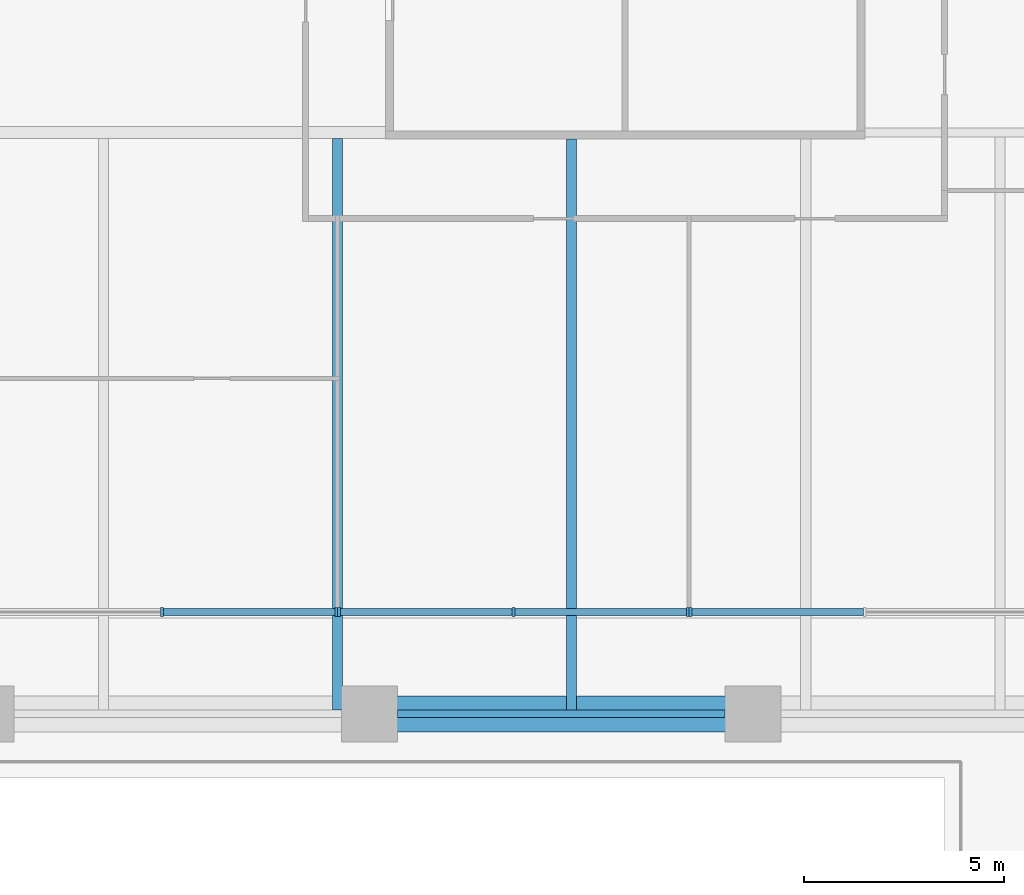
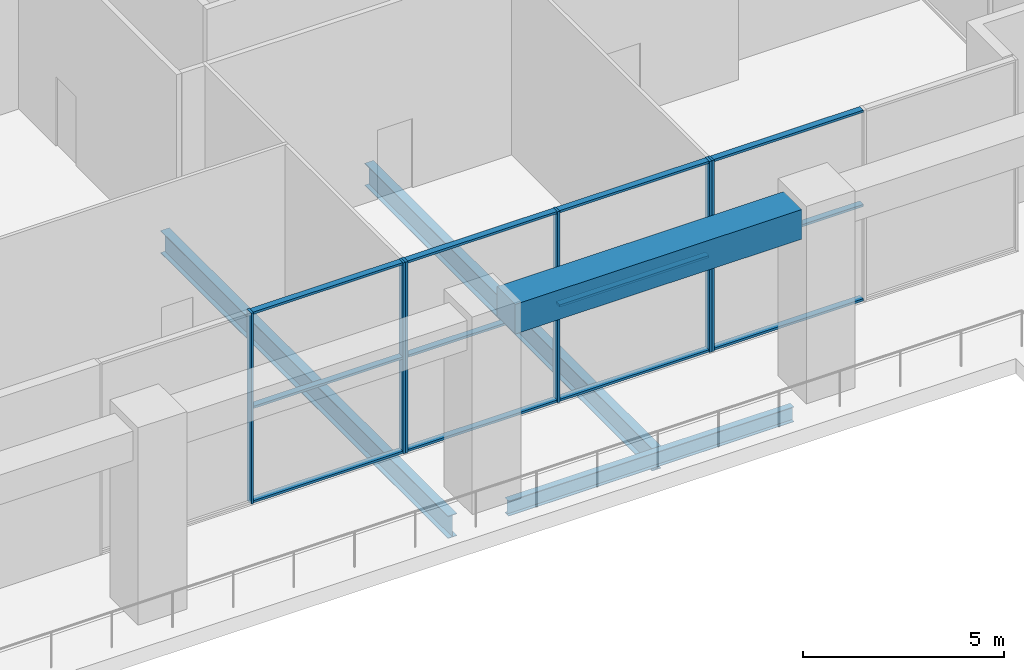
# One storey, part 3 of 20: 18 members, 4 beams, 3 elements without a shape of their own.
"""IFC4 building model written with IfcOpenShell, lengths in metres."""

from ifc_helpers import new_model, si_unit, direction, frame, origin, origin_2d, place, context, subcontext, project, spatial, rectangle, i_section, extrude, material, material_profile, profile_set, type_object, element, aggregate, save


model = new_model("IFC4")

# Units and contexts
model_context = context("Model", 3, precision=1e-05, world=origin(), true_north=direction((0.0, 1.0)))
body_context = subcontext(model_context, "Body", "Model", "MODEL_VIEW")
ifc_project = project(units=[si_unit("LENGTHUNIT", "METRE"), si_unit("AREAUNIT", "SQUARE_METRE"), si_unit("VOLUMEUNIT", "CUBIC_METRE"), si_unit("PLANEANGLEUNIT", "RADIAN"), si_unit("MASSUNIT", "GRAM", prefix="KILO")], contexts=[model_context])

# Site, building, storey
site_placement = place(None, origin())
site = spatial("IfcSite", under=ifc_project, at=site_placement, CompositionType="ELEMENT")
building_placement = place(site_placement, origin())
building = spatial("IfcBuilding", under=site, at=building_placement, Name="Ogive Exchange Tower", CompositionType="ELEMENT")
storey_placement = place(building_placement, frame((0.0, 0.0, 33.60009765625)))
storey = spatial("IfcBuildingStorey", under=building, at=storey_placement, Name="L06", CompositionType="ELEMENT", Elevation=33.60009765625)

# Beams
ifc_material_1 = material(Name="Steel ASTM A992 Gr50", Category="steel")
ifc_material_profile_1 = material_profile(ifc_material_1, i_section(OverallWidth=0.25390625, OverallDepth=0.68310546875, WebThickness=0.012451171875, FlangeThickness=0.018798828125, at=origin_2d()), Name="W690x140")
ifc_profile_set_1 = profile_set([ifc_material_profile_1], Name="Steel ASTM A992 Gr50")
beam_type_1 = type_object("IfcBeamType", Name="Floor beam W690x140", PredefinedType="JOIST", material=ifc_profile_set_1)
beam_1_placement = place(storey_placement, frame((8.794189453125, -30.304443359375, -0.79150390625), z_axis=(0.0, 1.0, 0.0), x_axis=(-1.0, 0.0, 0.0)))
element("IfcBeam", 1, at=beam_1_placement, inside=storey, type_object=beam_type_1, Name="Floor beam", PredefinedType="JOIST", context=body_context, shape_type="SweptSolid", body=[
    extrude(i_section(OverallWidth=0.25390625, OverallDepth=0.68310546875, WebThickness=0.012451171875, FlangeThickness=0.018798828125, at=origin_2d()), origin(), (0.0, 0.0, 1.0), 14.309326171875),
])
beam_2_placement = place(storey_placement, frame((14.65673828125, -30.304443359375, -0.79150390625), z_axis=(0.0, 1.0, 0.0), x_axis=(-1.0, 0.0, 0.0)))
element("IfcBeam", 2, at=beam_2_placement, inside=storey, type_object=beam_type_1, Name="Floor beam", PredefinedType="JOIST", context=body_context, shape_type="SweptSolid", body=[
    extrude(i_section(OverallWidth=0.25390625, OverallDepth=0.68310546875, WebThickness=0.012451171875, FlangeThickness=0.018798828125, at=origin_2d()), origin(), (0.0, 0.0, 1.0), 14.304443359375),
])
ifc_material_profile_2 = material_profile(ifc_material_1, i_section(OverallWidth=0.19091796875, OverallDepth=0.45703125, WebThickness=0.009033203125, FlangeThickness=0.014404296875, at=origin_2d()), Name="W460x74")
ifc_profile_set_2 = profile_set([ifc_material_profile_2], Name="Steel ASTM A992 Gr50")
beam_type_2 = type_object("IfcBeamType", Name="Girder W460x74", PredefinedType="BEAM", material=ifc_profile_set_2)
beam_3_placement = place(storey_placement, frame((10.300048828125, -30.39990234375, -0.6787109375), z_axis=(1.0, 0.0, 0.0), x_axis=(0.0, 1.0, 0.0)))
element("IfcBeam", 3, at=beam_3_placement, inside=storey, type_object=beam_type_2, Name="Girder", PredefinedType="BEAM", context=body_context, shape_type="SweptSolid", body=[
    extrude(i_section(OverallWidth=0.19091796875, OverallDepth=0.45703125, WebThickness=0.009033203125, FlangeThickness=0.014404296875, at=origin_2d()), origin(), (0.0, 0.0, 1.0), 8.199951171875),
])
ifc_material_2 = material(Name="Precast concrete C70/85 (limestone faced)", Category="masonry")
ifc_material_profile_3 = material_profile(ifc_material_2, rectangle(XDim=0.89990234375, YDim=0.89990234375, at=origin_2d()), Name="900 x 900")
ifc_profile_set_3 = profile_set([ifc_material_profile_3], Name="Precast concrete C70/85 (limestone faced)")
beam_type_3 = type_object("IfcBeamType", Name="Precast spandrel 900 x 900 C70/85", PredefinedType="SPANDREL", material=ifc_profile_set_3)
beam_4_placement = place(storey_placement, frame((10.280029296875, -30.39990234375, 5.2998046875), z_axis=(1.0, 0.0, 0.0), x_axis=(0.0, 1.0, 0.0)))
element("IfcBeam", 4, at=beam_4_placement, inside=storey, type_object=beam_type_3, Name="Spandrel 5", PredefinedType="SPANDREL", context=body_context, shape_type="SweptSolid", body=[
    extrude(rectangle(XDim=0.89990234375, YDim=0.89990234375, at=origin_2d()), origin(), (0.0, 0.0, 1.0), 8.239990234375),
])

# Curtain wall, members
ifc_material_3 = material(Name="Anodised aluminium and clear glass", Category="aluminium")
curtain_wall_type = type_object("IfcCurtainWallType", Name="Sky lobby glazing", PredefinedType="NOTDEFINED", material=ifc_material_3)
curtain_wall_1_placement = place(storey_placement, origin())
curtain_wall_1 = element("IfcCurtainWall", 5, at=curtain_wall_1_placement, inside=storey, type_object=curtain_wall_type, Name="Sky lobby glazing run G4", PredefinedType="NOTDEFINED")
ifc_material_4 = material(Name="Anodised aluminium", Category="aluminium")
ifc_material_profile_4 = material_profile(ifc_material_4, rectangle(XDim=0.219970703125, YDim=0.070068359375, at=origin_2d()), Name="AL 70x220")
ifc_profile_set_4 = profile_set([ifc_material_profile_4], Name="Anodised aluminium")
member_type_1 = type_object("IfcMemberType", Name="Sky lobby glazing mullion 70 x 220", PredefinedType="MULLION", material=ifc_profile_set_4)
member_1_placement = place(storey_placement, frame((4.39990234375, -27.85009765625, 0.0), z_axis=(0.0, 0.0, 1.0), x_axis=(0.0, 1.0, 0.0)))
member_1 = element("IfcMember", 6, at=member_1_placement, type_object=member_type_1, Name="G4 mullion 2", PredefinedType="MULLION", context=body_context, shape_type="SweptSolid", body=[
    extrude(rectangle(XDim=0.219970703125, YDim=0.070068359375, at=origin_2d()), origin(), (0.0, 0.0, 1.0), 5.7998046875),
])
member_2_placement = place(storey_placement, frame((8.764892578125, -27.85009765625, 0.0), z_axis=(0.0, 0.0, 1.0), x_axis=(0.0, 1.0, 0.0)))
member_2 = element("IfcMember", 7, at=member_2_placement, type_object=member_type_1, Name="G4 mullion 3", PredefinedType="MULLION", context=body_context, shape_type="SweptSolid", body=[
    extrude(rectangle(XDim=0.219970703125, YDim=0.070068359375, at=origin_2d()), origin(), (0.0, 0.0, 1.0), 5.7998046875),
])

curtain_wall_2_placement = place(storey_placement, origin())
curtain_wall_2 = element("IfcCurtainWall", 8, at=curtain_wall_2_placement, inside=storey, type_object=curtain_wall_type, Name="Sky lobby glazing run G5", PredefinedType="NOTDEFINED")
member_3_placement = place(storey_placement, frame((8.8349609375, -27.85009765625, 0.0), z_axis=(0.0, 0.0, 1.0), x_axis=(0.0, 1.0, 0.0)))
member_3 = element("IfcMember", 9, at=member_3_placement, type_object=member_type_1, Name="G5 mullion 1", PredefinedType="MULLION", context=body_context, shape_type="SweptSolid", body=[
    extrude(rectangle(XDim=0.219970703125, YDim=0.070068359375, at=origin_2d()), origin(), (0.0, 0.0, 1.0), 5.7998046875),
])
member_4_placement = place(storey_placement, frame((13.199951171875, -27.85009765625, 0.0), z_axis=(0.0, 0.0, 1.0), x_axis=(0.0, 1.0, 0.0)))
member_4 = element("IfcMember", 10, at=member_4_placement, type_object=member_type_1, Name="G5 mullion 2", PredefinedType="MULLION", context=body_context, shape_type="SweptSolid", body=[
    extrude(rectangle(XDim=0.219970703125, YDim=0.070068359375, at=origin_2d()), origin(), (0.0, 0.0, 1.0), 5.7998046875),
])
member_5_placement = place(storey_placement, frame((17.56494140625, -27.85009765625, 0.0), z_axis=(0.0, 0.0, 1.0), x_axis=(0.0, 1.0, 0.0)))
member_5 = element("IfcMember", 11, at=member_5_placement, type_object=member_type_1, Name="G5 mullion 3", PredefinedType="MULLION", context=body_context, shape_type="SweptSolid", body=[
    extrude(rectangle(XDim=0.219970703125, YDim=0.070068359375, at=origin_2d()), origin(), (0.0, 0.0, 1.0), 5.7998046875),
])

# Curtain wall, member
curtain_wall_3_placement = place(storey_placement, origin())
curtain_wall_3 = element("IfcCurtainWall", 12, at=curtain_wall_3_placement, inside=storey, type_object=curtain_wall_type, Name="Sky lobby glazing run G6", PredefinedType="NOTDEFINED")
member_6_placement = place(storey_placement, frame((17.635009765625, -27.85009765625, 0.0), z_axis=(0.0, 0.0, 1.0), x_axis=(0.0, 1.0, 0.0)))
member_6 = element("IfcMember", 13, at=member_6_placement, type_object=member_type_1, Name="G6 mullion 1", PredefinedType="MULLION", context=body_context, shape_type="SweptSolid", body=[
    extrude(rectangle(XDim=0.219970703125, YDim=0.070068359375, at=origin_2d()), origin(), (0.0, 0.0, 1.0), 5.7998046875),
])

# Member
ifc_material_profile_5 = material_profile(ifc_material_4, rectangle(XDim=0.179931640625, YDim=0.070068359375, at=origin_2d()), Name="AL 70x180")
ifc_profile_set_5 = profile_set([ifc_material_profile_5], Name="Anodised aluminium")
member_type_2 = type_object("IfcMemberType", Name="Sky lobby glazing transom 70 x 180", PredefinedType="USERDEFINED", material=ifc_profile_set_5)
member_7_placement = place(storey_placement, frame((4.43505859375, -27.85009765625, 0.034912109375), z_axis=(1.0, 0.0, 0.0), x_axis=(0.0, 1.0, 0.0)))
member_7 = element("IfcMember", 14, at=member_7_placement, type_object=member_type_2, Name="G4 transom 2.1", ObjectType="TRANSOM", PredefinedType="USERDEFINED", context=body_context, shape_type="SweptSolid", body=[
    extrude(rectangle(XDim=0.179931640625, YDim=0.070068359375, at=origin_2d()), origin(), (0.0, 0.0, 1.0), 4.294921875),
])

member_8_placement = place(storey_placement, frame((4.43505859375, -27.85009765625, 2.89990234375), z_axis=(1.0, 0.0, 0.0), x_axis=(0.0, 1.0, 0.0)))
member_8 = element("IfcMember", 15, at=member_8_placement, type_object=member_type_2, Name="G4 transom 2.2", ObjectType="TRANSOM", PredefinedType="USERDEFINED", context=body_context, shape_type="SweptSolid", body=[
    extrude(rectangle(XDim=0.179931640625, YDim=0.070068359375, at=origin_2d()), origin(), (0.0, 0.0, 1.0), 4.294921875),
])

member_9_placement = place(storey_placement, frame((4.43505859375, -27.85009765625, 5.764892578125), z_axis=(1.0, 0.0, 0.0), x_axis=(0.0, 1.0, 0.0)))
member_9 = element("IfcMember", 16, at=member_9_placement, type_object=member_type_2, Name="G4 transom 2.3", ObjectType="TRANSOM", PredefinedType="USERDEFINED", context=body_context, shape_type="SweptSolid", body=[
    extrude(rectangle(XDim=0.179931640625, YDim=0.070068359375, at=origin_2d()), origin(), (0.0, 0.0, 1.0), 4.294921875),
])

aggregate(curtain_wall_1, [member_1, member_2, member_7, member_8, member_9])

member_10_placement = place(storey_placement, frame((8.8701171875, -27.85009765625, 0.034912109375), z_axis=(1.0, 0.0, 0.0), x_axis=(0.0, 1.0, 0.0)))
member_10 = element("IfcMember", 17, at=member_10_placement, type_object=member_type_2, Name="G5 transom 1.1", ObjectType="TRANSOM", PredefinedType="USERDEFINED", context=body_context, shape_type="SweptSolid", body=[
    extrude(rectangle(XDim=0.179931640625, YDim=0.070068359375, at=origin_2d()), origin(), (0.0, 0.0, 1.0), 4.294921875),
])

member_11_placement = place(storey_placement, frame((8.8701171875, -27.85009765625, 2.89990234375), z_axis=(1.0, 0.0, 0.0), x_axis=(0.0, 1.0, 0.0)))
member_11 = element("IfcMember", 18, at=member_11_placement, type_object=member_type_2, Name="G5 transom 1.2", ObjectType="TRANSOM", PredefinedType="USERDEFINED", context=body_context, shape_type="SweptSolid", body=[
    extrude(rectangle(XDim=0.179931640625, YDim=0.070068359375, at=origin_2d()), origin(), (0.0, 0.0, 1.0), 4.294921875),
])

member_12_placement = place(storey_placement, frame((8.8701171875, -27.85009765625, 5.764892578125), z_axis=(1.0, 0.0, 0.0), x_axis=(0.0, 1.0, 0.0)))
member_12 = element("IfcMember", 19, at=member_12_placement, type_object=member_type_2, Name="G5 transom 1.3", ObjectType="TRANSOM", PredefinedType="USERDEFINED", context=body_context, shape_type="SweptSolid", body=[
    extrude(rectangle(XDim=0.179931640625, YDim=0.070068359375, at=origin_2d()), origin(), (0.0, 0.0, 1.0), 4.294921875),
])

member_13_placement = place(storey_placement, frame((13.235107421875, -27.85009765625, 0.034912109375), z_axis=(1.0, 0.0, 0.0), x_axis=(0.0, 1.0, 0.0)))
member_13 = element("IfcMember", 20, at=member_13_placement, type_object=member_type_2, Name="G5 transom 2.1", ObjectType="TRANSOM", PredefinedType="USERDEFINED", context=body_context, shape_type="SweptSolid", body=[
    extrude(rectangle(XDim=0.179931640625, YDim=0.070068359375, at=origin_2d()), origin(), (0.0, 0.0, 1.0), 4.294921875),
])

member_14_placement = place(storey_placement, frame((13.235107421875, -27.85009765625, 2.89990234375), z_axis=(1.0, 0.0, 0.0), x_axis=(0.0, 1.0, 0.0)))
member_14 = element("IfcMember", 21, at=member_14_placement, type_object=member_type_2, Name="G5 transom 2.2", ObjectType="TRANSOM", PredefinedType="USERDEFINED", context=body_context, shape_type="SweptSolid", body=[
    extrude(rectangle(XDim=0.179931640625, YDim=0.070068359375, at=origin_2d()), origin(), (0.0, 0.0, 1.0), 4.294921875),
])

member_15_placement = place(storey_placement, frame((13.235107421875, -27.85009765625, 5.764892578125), z_axis=(1.0, 0.0, 0.0), x_axis=(0.0, 1.0, 0.0)))
member_15 = element("IfcMember", 22, at=member_15_placement, type_object=member_type_2, Name="G5 transom 2.3", ObjectType="TRANSOM", PredefinedType="USERDEFINED", context=body_context, shape_type="SweptSolid", body=[
    extrude(rectangle(XDim=0.179931640625, YDim=0.070068359375, at=origin_2d()), origin(), (0.0, 0.0, 1.0), 4.294921875),
])

aggregate(curtain_wall_2, [member_3, member_4, member_5, member_10, member_11, member_12, member_13, member_14, member_15])

member_16_placement = place(storey_placement, frame((17.669921875, -27.85009765625, 0.034912109375), z_axis=(1.0, 0.0, 0.0), x_axis=(0.0, 1.0, 0.0)))
member_16 = element("IfcMember", 23, at=member_16_placement, type_object=member_type_2, Name="G6 transom 1.1", ObjectType="TRANSOM", PredefinedType="USERDEFINED", context=body_context, shape_type="SweptSolid", body=[
    extrude(rectangle(XDim=0.179931640625, YDim=0.070068359375, at=origin_2d()), origin(), (0.0, 0.0, 1.0), 4.295166015625),
])

member_17_placement = place(storey_placement, frame((17.669921875, -27.85009765625, 2.89990234375), z_axis=(1.0, 0.0, 0.0), x_axis=(0.0, 1.0, 0.0)))
member_17 = element("IfcMember", 24, at=member_17_placement, type_object=member_type_2, Name="G6 transom 1.2", ObjectType="TRANSOM", PredefinedType="USERDEFINED", context=body_context, shape_type="SweptSolid", body=[
    extrude(rectangle(XDim=0.179931640625, YDim=0.070068359375, at=origin_2d()), origin(), (0.0, 0.0, 1.0), 4.295166015625),
])

member_18_placement = place(storey_placement, frame((17.669921875, -27.85009765625, 5.764892578125), z_axis=(1.0, 0.0, 0.0), x_axis=(0.0, 1.0, 0.0)))
member_18 = element("IfcMember", 25, at=member_18_placement, type_object=member_type_2, Name="G6 transom 1.3", ObjectType="TRANSOM", PredefinedType="USERDEFINED", context=body_context, shape_type="SweptSolid", body=[
    extrude(rectangle(XDim=0.179931640625, YDim=0.070068359375, at=origin_2d()), origin(), (0.0, 0.0, 1.0), 4.295166015625),
])

aggregate(curtain_wall_3, [member_6, member_16, member_17, member_18])

save(model, "model.ifc")
